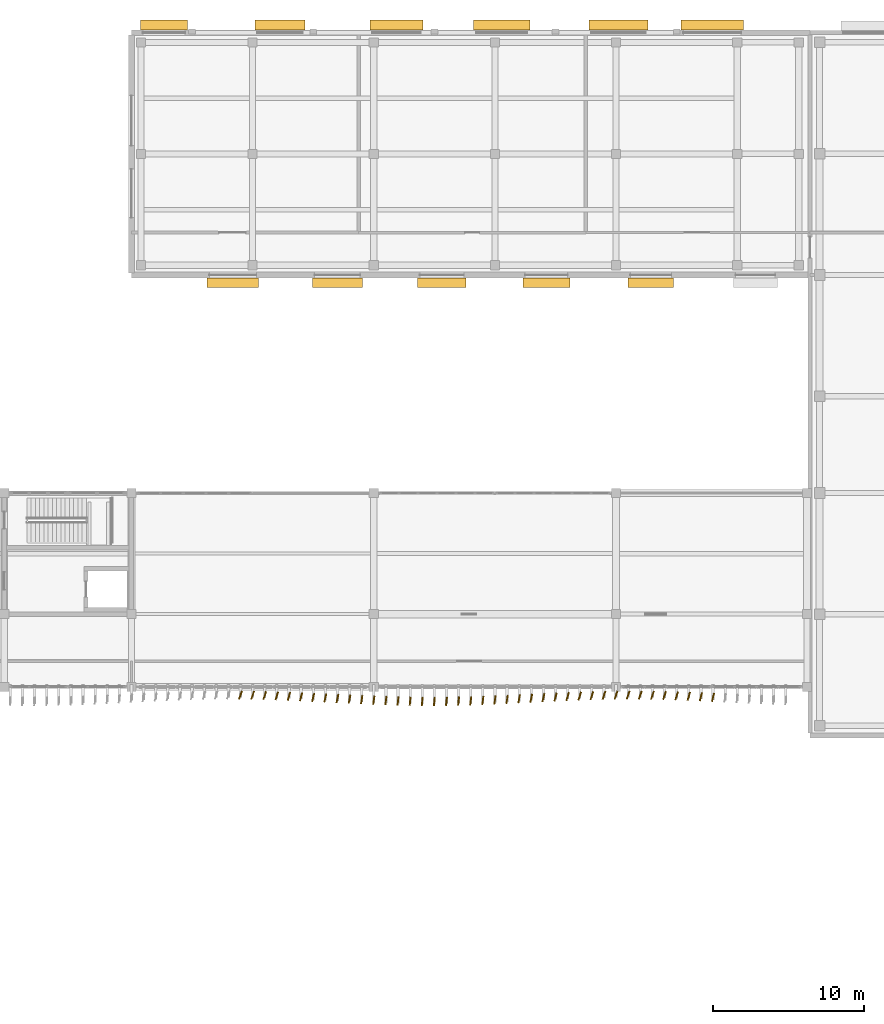
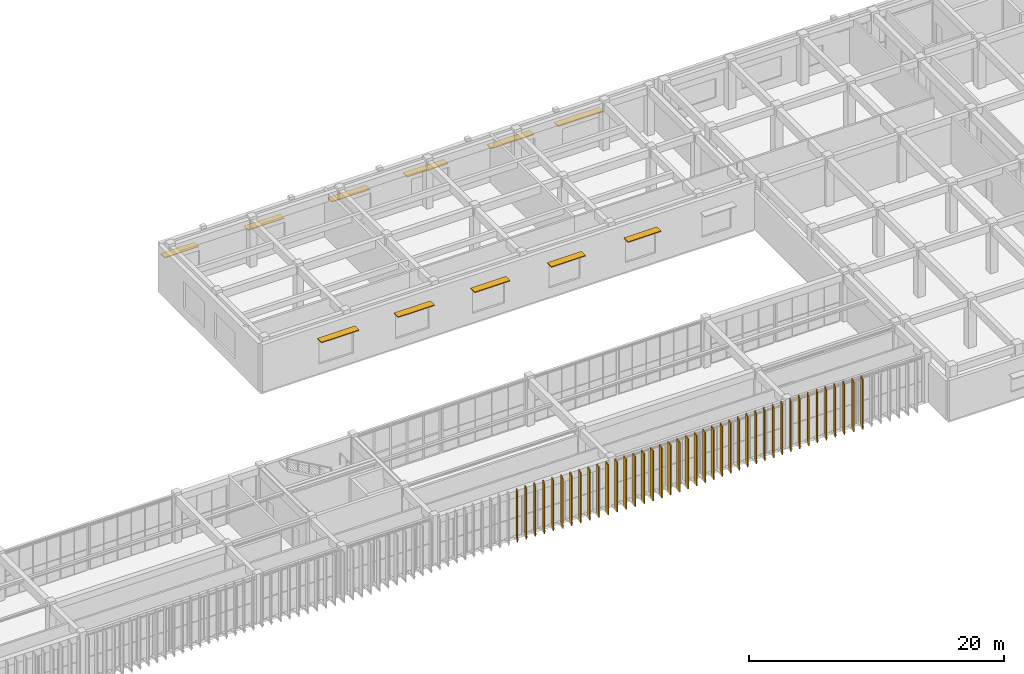
# One storey, part 59 of 64: 40 coverings, 11 shading devices.
"""IFC4 building model written with IfcOpenShell, lengths in metres."""

from ifc_helpers import new_model, si_unit, direction, frame, origin, origin_2d, place, context, subcontext, project, spatial, rectangle, extrude, material, layer, layer_set, type_object, element, save


model = new_model("IFC4")

# Units and contexts
model_context = context("Model", 3, precision=1e-05, world=origin(), true_north=direction((0.0, 1.0)))
body_context = subcontext(model_context, "Body", "Model", "MODEL_VIEW")
ifc_project = project(units=[si_unit("LENGTHUNIT", "METRE"), si_unit("AREAUNIT", "SQUARE_METRE"), si_unit("VOLUMEUNIT", "CUBIC_METRE"), si_unit("PLANEANGLEUNIT", "RADIAN"), si_unit("MASSUNIT", "GRAM", prefix="KILO")], contexts=[model_context])

# Site, building, storey
site_placement = place(None, origin())
site = spatial("IfcSite", under=ifc_project, at=site_placement, CompositionType="ELEMENT")
building_placement = place(site_placement, origin())
building = spatial("IfcBuilding", under=site, at=building_placement, Name="Cinchona Park Media Centre", CompositionType="ELEMENT")
storey_placement = place(building_placement, frame((0.0, 0.0, 5.39990234375)))
storey = spatial("IfcBuildingStorey", under=building, at=storey_placement, Name="L01", CompositionType="ELEMENT", Elevation=5.39990234375)

# Coverings
ifc_material_1 = material(Name="Anodised Storm-Resistant Aluminium Fin", Category="aluminium")
ifc_layer = layer(ifc_material_1, 0.090087890625)
ifc_layer_set = layer_set([ifc_layer], Name="Anodised Storm-Resistant Aluminium Fin")
covering_type = type_object("IfcCoveringType", Name="CLADDING-FIN01", PredefinedType="CLADDING", material=ifc_layer_set)
for number, where, z_axis, x_axis, name in (
    (1, (102.0, 74.258056640625, 0.0), (0.0, 0.0, 1.0), (0.340871837244, 0.94010977581, 0.0), "Twisting Vertical Facade Fin L01"),
    (2, (102.800048828125, 74.248046875, 0.0), (0.0, 0.0, 1.0), (0.335780389393, 0.941940300709, 0.0), "Twisting Vertical Facade Fin L01"),
    (3, (103.60009765625, 74.23193359375, 0.0), (0.0, 0.0, 1.0), (0.3265581205, 0.945177123049, 0.0), "Twisting Vertical Facade Fin L01"),
    (4, (104.39990234375, 74.208984375, 0.0), (0.0, 0.0, 1.0), (0.31382674518, 0.949480265203, 0.0), "Twisting Vertical Facade Fin L01"),
    (5, (105.199951171875, 74.179931640625, 0.0), (0.0, 0.0, 1.0), (0.297874744877, 0.954604963513, 0.0), "Twisting Vertical Facade Fin L01"),
    (6, (106.0, 74.14599609375, 0.0), (0.0, 0.0, 1.0), (0.279158704655, 0.960244977917, 0.0), "Twisting Vertical Facade Fin L01"),
    (7, (106.800048828125, 74.10888671875, 0.0), (0.0, 0.0, 1.0), (0.258313252067, 0.966061211211, 0.0), "Twisting Vertical Facade Fin L01"),
    (8, (107.60009765625, 74.070068359375, 0.0), (0.0, 0.0, 1.0), (0.236329411694, 0.971672994977, 0.0), "Twisting Vertical Facade Fin L01"),
    (9, (108.39990234375, 74.030029296875, 0.0), (0.0, 0.0, 1.0), (0.213541936916, 0.97693389806, 0.0), "Twisting Vertical Facade Fin L01"),
    (10, (109.199951171875, 73.990966796875, 0.0), (0.0, 0.0, 1.0), (0.191322947989, 0.981527141537, 0.0), "Twisting Vertical Facade Fin L01"),
    (11, (110.0, 73.9541015625, 0.0), (0.0, 0.0, 1.0), (0.170037510451, 0.985437590637, 0.0), "Twisting Vertical Facade Fin L01"),
    (12, (110.800048828125, 73.919921875, 0.0), (0.0, 0.0, 1.0), (0.150743225348, 0.988572951285, 0.0), "Twisting Vertical Facade Fin L01"),
    (13, (111.60009765625, 73.89111328125, 0.0), (0.0, 0.0, 1.0), (0.134159142573, 0.990959799621, 0.0), "Twisting Vertical Facade Fin L01"),
    (14, (112.39990234375, 73.867919921875, 0.0), (0.0, 0.0, 1.0), (0.120829884873, 0.992673228672, 0.0), "Twisting Vertical Facade Fin L01"),
    (15, (113.199951171875, 73.85205078125, 0.0), (0.0, 0.0, 1.0), (0.111122034978, 0.993806768614, 0.0), "Twisting Vertical Facade Fin L01"),
    (16, (114.0, 73.842041015625, 0.0), (0.0, 0.0, 1.0), (0.105743422663, 0.994393447567, 0.0), "Twisting Vertical Facade Fin L01"),
    (17, (114.800048828125, 73.840087890625, 0.0), (0.0, 0.0, 1.0), (0.10470203849, 0.994503636562, 0.0), "Twisting Vertical Facade Fin L01"),
    (18, (115.60009765625, 73.845947265625, 0.0), (0.0, 0.0, 1.0), (0.107999355706, 0.994150963972, 0.0), "Twisting Vertical Facade Fin L01"),
    (19, (116.39990234375, 73.85888671875, 0.0), (0.0, 0.0, 1.0), (0.115457263478, 0.993312448482, 0.0), "Twisting Vertical Facade Fin L01"),
    (20, (117.199951171875, 73.87890625, 0.0), (0.0, 0.0, 1.0), (0.127064608601, 0.99189444259, 0.0), "Twisting Vertical Facade Fin L01"),
    (21, (118.0, 73.905029296875, 0.0), (0.0, 0.0, 1.0), (0.142110668555, 0.989850775563, 0.0), "Twisting Vertical Facade Fin L01"),
    (22, (118.800048828125, 73.93603515625, 0.0), (0.0, 0.0, 1.0), (0.160225753504, 0.987080395872, 0.0), "Twisting Vertical Facade Fin L01"),
    (23, (119.60009765625, 73.971923828125, 0.0), (0.0, 0.0, 1.0), (0.180519145251, 0.983571470813, 0.0), "Twisting Vertical Facade Fin L01"),
    (24, (120.39990234375, 74.010009765625, 0.0), (0.0, 0.0, 1.0), (0.202445469766, 0.979293537082, 0.0), "Twisting Vertical Facade Fin L01"),
    (25, (121.199951171875, 74.050048828125, 0.0), (0.0, 0.0, 1.0), (0.224951054344, 0.974370064785, 0.0), "Twisting Vertical Facade Fin L01"),
    (26, (122.0, 74.090087890625, 0.0), (0.0, 0.0, 1.0), (0.247337247968, 0.968929453452, 0.0), "Twisting Vertical Facade Fin L01"),
    (27, (122.800048828125, 74.1279296875, 0.0), (0.0, 0.0, 1.0), (0.268919820615, 0.963162566798, 0.0), "Twisting Vertical Facade Fin L01"),
    (28, (123.60009765625, 74.1640625, 0.0), (0.0, 0.0, 1.0), (0.288697611798, 0.957420330337, 0.0), "Twisting Vertical Facade Fin L01"),
    (29, (124.39990234375, 74.195068359375, 0.0), (0.0, 0.0, 1.0), (0.306193796821, 0.951969200546, 0.0), "Twisting Vertical Facade Fin L01"),
    (30, (125.199951171875, 74.220947265625, 0.0), (0.0, 0.0, 1.0), (0.320612990586, 0.947210277746, 0.0), "Twisting Vertical Facade Fin L01"),
    (31, (126.0, 74.240966796875, 0.0), (0.0, 0.0, 1.0), (0.331667216146, 0.943396447807, 0.0), "Twisting Vertical Facade Fin L01"),
    (32, (126.800048828125, 74.25390625, 0.0), (0.0, 0.0, 1.0), (0.338737920245, 0.940880768954, 0.0), "Twisting Vertical Facade Fin L01"),
    (33, (127.60009765625, 74.260009765625, 0.0), (0.0, 0.0, 1.0), (0.341856130815, 0.939752300249, 0.0), "Twisting Vertical Facade Fin L01"),
    (34, (128.39990234375, 74.258056640625, 0.0), (0.0, 0.0, 1.0), (0.340871837244, 0.94010977581, 0.0), "Twisting Vertical Facade Fin L01"),
    (35, (129.199951171875, 74.248046875, 0.0), (0.0, 0.0, 1.0), (0.335780389393, 0.941940300709, 0.0), "Twisting Vertical Facade Fin L01"),
    (36, (130.0, 74.23193359375, 0.0), (0.0, 0.0, 1.0), (0.3265581205, 0.945177123049, 0.0), "Twisting Vertical Facade Fin L01"),
    (37, (130.800048828125, 74.208984375, 0.0), (0.0, 0.0, 1.0), (0.31382674518, 0.949480265203, 0.0), "Twisting Vertical Facade Fin L01"),
    (38, (131.60009765625, 74.179931640625, 0.0), (0.0, 0.0, 1.0), (0.297874744877, 0.954604963513, 0.0), "Twisting Vertical Facade Fin L01"),
    (39, (132.39990234375, 74.14599609375, 0.0), (0.0, 0.0, 1.0), (0.279158704655, 0.960244977917, 0.0), "Twisting Vertical Facade Fin L01"),
    (40, (133.199951171875, 74.10888671875, 0.0), (0.0, 0.0, 1.0), (0.258313252067, 0.966061211211, 0.0), "Twisting Vertical Facade Fin L01"),
):
    element("IfcCovering", number, at=place(storey_placement, frame(where, z_axis=z_axis, x_axis=x_axis)), inside=storey, type_object=covering_type, Name=name, PredefinedType="CLADDING", context=body_context, shape_type="SweptSolid", body=[
        extrude(rectangle(XDim=0.56005859375, YDim=0.090087890625, at=origin_2d()), origin(), (0.0, 0.0, 1.0), 4.800048828125),
    ])

# Shading devices
ifc_material_2 = material(Name="Anodised Aluminium Horizontal Brise-Soleil", Category="aluminium")
shading_device_type = type_object("IfcShadingDeviceType", Name="SHADING-SUN01", PredefinedType="AWNING", material=ifc_material_2)
shading_device_1_placement = place(storey_placement, frame((96.949951171875, 118.510009765625, 2.719970703125), z_axis=(0.0, 0.0, 1.0), x_axis=(1.0, 0.0, 0.0)))
element("IfcShadingDevice", 41, at=shading_device_1_placement, inside=storey, type_object=shading_device_type, Name="Horizontal Sunshade SHD02 L01", PredefinedType="AWNING", context=body_context, shape_type="SweptSolid", body=[
    extrude(rectangle(XDim=3.10009765625, YDim=0.64990234375, at=origin_2d()), origin(), (0.0, 0.0, 1.0), 0.080078125),
])
shading_device_2_placement = place(storey_placement, frame((104.60009765625, 118.510009765625, 2.719970703125), z_axis=(0.0, 0.0, 1.0), x_axis=(1.0, 0.0, 0.0)))
element("IfcShadingDevice", 42, at=shading_device_2_placement, inside=storey, type_object=shading_device_type, Name="Horizontal Sunshade SHD02 L01", PredefinedType="AWNING", context=body_context, shape_type="SweptSolid", body=[
    extrude(rectangle(XDim=3.300048828125, YDim=0.64990234375, at=origin_2d()), origin(), (0.0, 0.0, 1.0), 0.080078125),
])
shading_device_3_placement = place(storey_placement, frame((112.300048828125, 118.510009765625, 2.77001953125), z_axis=(0.0, 0.0, 1.0), x_axis=(1.0, 0.0, 0.0)))
element("IfcShadingDevice", 43, at=shading_device_3_placement, inside=storey, type_object=shading_device_type, Name="Horizontal Sunshade SHD02 L01", PredefinedType="AWNING", context=body_context, shape_type="SweptSolid", body=[
    extrude(rectangle(XDim=3.5, YDim=0.64990234375, at=origin_2d()), origin(), (0.0, 0.0, 1.0), 0.080078125),
])
shading_device_4_placement = place(storey_placement, frame((119.25, 118.510009765625, 2.77001953125), z_axis=(0.0, 0.0, 1.0), x_axis=(1.0, 0.0, 0.0)))
element("IfcShadingDevice", 44, at=shading_device_4_placement, inside=storey, type_object=shading_device_type, Name="Horizontal Sunshade SHD02 L01", PredefinedType="AWNING", context=body_context, shape_type="SweptSolid", body=[
    extrude(rectangle(XDim=3.699951171875, YDim=0.64990234375, at=origin_2d()), origin(), (0.0, 0.0, 1.0), 0.080078125),
])
shading_device_5_placement = place(storey_placement, frame((126.949951171875, 118.510009765625, 2.820068359375), z_axis=(0.0, 0.0, 1.0), x_axis=(1.0, 0.0, 0.0)))
element("IfcShadingDevice", 45, at=shading_device_5_placement, inside=storey, type_object=shading_device_type, Name="Horizontal Sunshade SHD02 L01", PredefinedType="AWNING", context=body_context, shape_type="SweptSolid", body=[
    extrude(rectangle(XDim=3.89990234375, YDim=0.64990234375, at=origin_2d()), origin(), (0.0, 0.0, 1.0), 0.080078125),
])
shading_device_6_placement = place(storey_placement, frame((133.14990234375, 118.510009765625, 2.820068359375), z_axis=(0.0, 0.0, 1.0), x_axis=(1.0, 0.0, 0.0)))
element("IfcShadingDevice", 46, at=shading_device_6_placement, inside=storey, type_object=shading_device_type, Name="Horizontal Sunshade SHD02 L01", PredefinedType="AWNING", context=body_context, shape_type="SweptSolid", body=[
    extrude(rectangle(XDim=4.10009765625, YDim=0.64990234375, at=origin_2d()), origin(), (0.0, 0.0, 1.0), 0.080078125),
])
shading_device_7_placement = place(storey_placement, frame((129.10009765625, 101.489990234375, 3.27001953125), z_axis=(0.0, 0.0, 1.0), x_axis=(-1.0, 0.0, 0.0)))
element("IfcShadingDevice", 47, at=shading_device_7_placement, inside=storey, type_object=shading_device_type, Name="Horizontal Sunshade SHD02 L01", PredefinedType="AWNING", context=body_context, shape_type="SweptSolid", body=[
    extrude(rectangle(XDim=3.0, YDim=0.64990234375, at=origin_2d()), origin(), (0.0, 0.0, 1.0), 0.080078125),
])
shading_device_8_placement = place(storey_placement, frame((122.199951171875, 101.489990234375, 3.320068359375), z_axis=(0.0, 0.0, 1.0), x_axis=(-1.0, 0.0, 0.0)))
element("IfcShadingDevice", 48, at=shading_device_8_placement, inside=storey, type_object=shading_device_type, Name="Horizontal Sunshade SHD02 L01", PredefinedType="AWNING", context=body_context, shape_type="SweptSolid", body=[
    extrude(rectangle(XDim=3.10009765625, YDim=0.64990234375, at=origin_2d()), origin(), (0.0, 0.0, 1.0), 0.080078125),
])
shading_device_9_placement = place(storey_placement, frame((115.300048828125, 101.489990234375, 3.320068359375), z_axis=(0.0, 0.0, 1.0), x_axis=(-1.0, 0.0, 0.0)))
element("IfcShadingDevice", 49, at=shading_device_9_placement, inside=storey, type_object=shading_device_type, Name="Horizontal Sunshade SHD02 L01", PredefinedType="AWNING", context=body_context, shape_type="SweptSolid", body=[
    extrude(rectangle(XDim=3.199951171875, YDim=0.64990234375, at=origin_2d()), origin(), (0.0, 0.0, 1.0), 0.080078125),
])
shading_device_10_placement = place(storey_placement, frame((108.39990234375, 101.489990234375, 3.3701171875), z_axis=(0.0, 0.0, 1.0), x_axis=(-1.0, 0.0, 0.0)))
element("IfcShadingDevice", 50, at=shading_device_10_placement, inside=storey, type_object=shading_device_type, Name="Horizontal Sunshade SHD02 L01", PredefinedType="AWNING", context=body_context, shape_type="SweptSolid", body=[
    extrude(rectangle(XDim=3.300048828125, YDim=0.64990234375, at=origin_2d()), origin(), (0.0, 0.0, 1.0), 0.080078125),
])
shading_device_11_placement = place(storey_placement, frame((101.5, 101.489990234375, 3.3701171875), z_axis=(0.0, 0.0, 1.0), x_axis=(-1.0, 0.0, 0.0)))
element("IfcShadingDevice", 51, at=shading_device_11_placement, inside=storey, type_object=shading_device_type, Name="Horizontal Sunshade SHD02 L01", PredefinedType="AWNING", context=body_context, shape_type="SweptSolid", body=[
    extrude(rectangle(XDim=3.39990234375, YDim=0.64990234375, at=origin_2d()), origin(), (0.0, 0.0, 1.0), 0.080078125),
])

save(model, "model.ifc")
